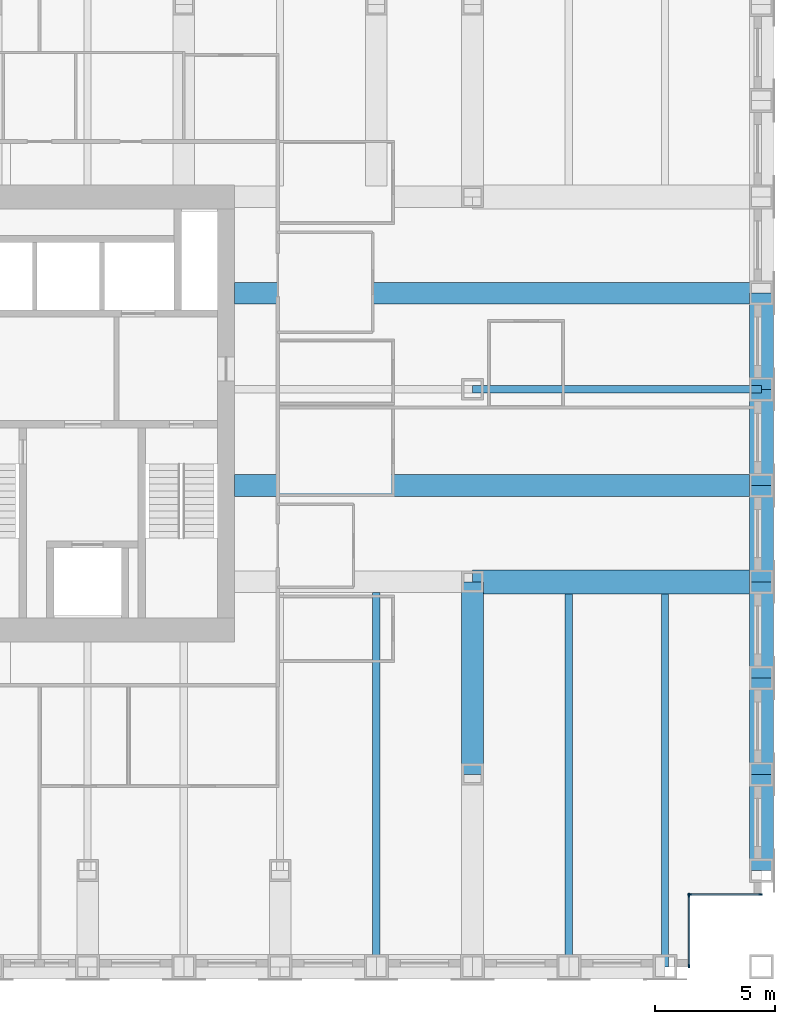
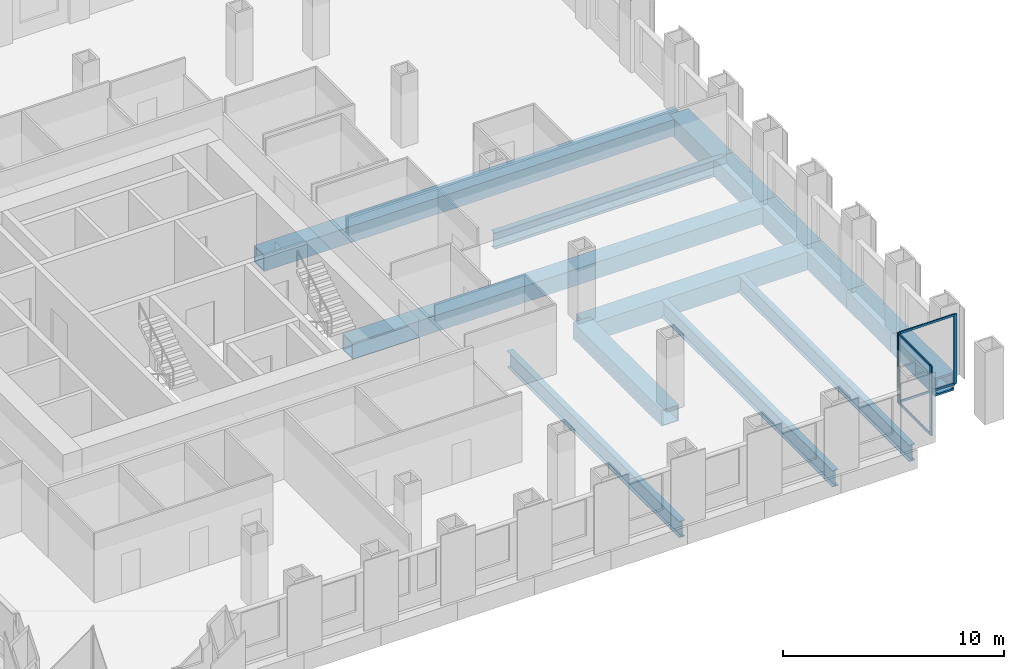
# One storey, part 4 of 16: 14 beams, 8 members, 2 elements without a shape of their own.
"""IFC4 building model written with IfcOpenShell, lengths in metres."""

from ifc_helpers import new_model, si_unit, direction, frame, origin, origin_2d, place, context, subcontext, project, spatial, rectangle, hollow_rectangle, i_section, extrude, material, material_profile, profile_set, type_object, element, aggregate, save


model = new_model("IFC4")

# Units and contexts
model_context = context("Model", 3, precision=1e-05, world=origin(), true_north=direction((0.0, 1.0)))
body_context = subcontext(model_context, "Body", "Model", "MODEL_VIEW")
ifc_project = project(units=[si_unit("LENGTHUNIT", "METRE"), si_unit("AREAUNIT", "SQUARE_METRE"), si_unit("VOLUMEUNIT", "CUBIC_METRE"), si_unit("PLANEANGLEUNIT", "RADIAN"), si_unit("MASSUNIT", "GRAM", prefix="KILO")], contexts=[model_context])

# Site, building, storey
site_placement = place(None, origin())
site = spatial("IfcSite", under=ifc_project, at=site_placement, CompositionType="ELEMENT")
building_placement = place(site_placement, origin())
building = spatial("IfcBuilding", under=site, at=building_placement, Name="Rimbunsela Tower", CompositionType="ELEMENT")
storey_placement = place(building_placement, frame((0.0, 0.0, 121.39990234375)))
storey = spatial("IfcBuildingStorey", under=building, at=storey_placement, Name="L29", CompositionType="ELEMENT", Elevation=121.39990234375)

# Beams
ifc_material_1 = material(Name="Steel BJ 55 (fy 410 MPa)", Category="steel")
ifc_material_profile_1 = material_profile(ifc_material_1, hollow_rectangle(XDim=1.0, YDim=1.0, WallThickness=0.10009765625, at=origin_2d()), Name="BOX 1000x1000x100")
ifc_profile_set_1 = profile_set([ifc_material_profile_1], Name="Steel BJ 55 (fy 410 MPa)")
beam_type_1 = type_object("IfcBeamType", Name="Beam BOX 1000x1000x100", PredefinedType="BEAM", material=ifc_profile_set_1)
beam_1_placement = place(storey_placement, frame((46.0, 20.0, -0.64990234375), z_axis=(1.0, 0.0, 0.0), x_axis=(0.0, 1.0, 0.0)))
element("IfcBeam", 1, at=beam_1_placement, inside=storey, type_object=beam_type_1, Name="Beam B3 L29", PredefinedType="BEAM", context=body_context, shape_type="SweptSolid", body=[
    extrude(hollow_rectangle(XDim=1.0, YDim=1.0, WallThickness=0.10009765625, at=origin_2d()), origin(), (0.0, 0.0, 1.0), 12.0),
])
for number, where, z_axis, x_axis, name in (
    (2, (58.0, 8.0, -0.64990234375), (0.0, 1.0, 0.0), (-1.0, 0.0, 0.0), "Beam B3 L29"),
    (3, (58.0, 12.0, -0.64990234375), (0.0, 1.0, 0.0), (-1.0, 0.0, 0.0), "Beam B3 L29"),
    (4, (58.0, 16.0, -0.64990234375), (0.0, 1.0, 0.0), (-1.0, 0.0, 0.0), "Beam B3 L29"),
    (5, (58.0, 20.0, -0.64990234375), (0.0, 1.0, 0.0), (-1.0, 0.0, 0.0), "Beam B3 L29"),
    (6, (58.0, 24.0, -0.64990234375), (0.0, 1.0, 0.0), (-1.0, 0.0, 0.0), "Beam B3 L29"),
    (7, (58.0, 28.0, -0.64990234375), (0.0, 1.0, 0.0), (-1.0, 0.0, 0.0), "Beam B3 L29"),
):
    element("IfcBeam", number, at=place(storey_placement, frame(where, z_axis=z_axis, x_axis=x_axis)), inside=storey, type_object=beam_type_1, Name=name, PredefinedType="BEAM", context=body_context, shape_type="SweptSolid", body=[
        extrude(hollow_rectangle(XDim=1.0, YDim=1.0, WallThickness=0.10009765625, at=origin_2d()), origin(), (0.0, 0.0, 1.0), 4.0),
    ])
ifc_material_2 = material(Name="Steel BJ 55 (fy 410 MPa)", Category="steel")
ifc_material_profile_2 = material_profile(ifc_material_2, hollow_rectangle(XDim=0.89990234375, YDim=0.89990234375, WallThickness=0.06005859375, at=origin_2d()), Name="BOX 900x900x60")
ifc_profile_set_2 = profile_set([ifc_material_profile_2], Name="Steel BJ 55 (fy 410 MPa)")
beam_type_2 = type_object("IfcBeamType", Name="Beam BOX 900x900x60", PredefinedType="BEAM", material=ifc_profile_set_2)
for number, where, z_axis, x_axis, name in (
    (8, (36.10009765625, 24.0, -0.599853515625), (1.0, 0.0, 0.0), (0.0, 1.0, 0.0), "Beam B1 L29"),
    (9, (36.10009765625, 32.0, -0.599853515625), (1.0, 0.0, 0.0), (0.0, 1.0, 0.0), "Beam B1 L29"),
):
    element("IfcBeam", number, at=place(storey_placement, frame(where, z_axis=z_axis, x_axis=x_axis)), inside=storey, type_object=beam_type_2, Name=name, PredefinedType="BEAM", context=body_context, shape_type="SweptSolid", body=[
        extrude(hollow_rectangle(XDim=0.89990234375, YDim=0.89990234375, WallThickness=0.06005859375, at=origin_2d()), origin(), (0.0, 0.0, 1.0), 21.89990234375),
    ])
beam_2_placement = place(storey_placement, frame((46.0, 12.0, -0.599853515625), z_axis=(0.0, 1.0, 0.0), x_axis=(-1.0, 0.0, 0.0)))
element("IfcBeam", 10, at=beam_2_placement, inside=storey, type_object=beam_type_2, Name="Beam B1 L29", PredefinedType="BEAM", context=body_context, shape_type="SweptSolid", body=[
    extrude(hollow_rectangle(XDim=0.89990234375, YDim=0.89990234375, WallThickness=0.06005859375, at=origin_2d()), origin(), (0.0, 0.0, 1.0), 8.0),
])
ifc_material_3 = material(Name="Steel BJ 55 (fy 410 MPa)", Category="steel")
ifc_material_profile_3 = material_profile(ifc_material_3, i_section(OverallWidth=0.300048828125, OverallDepth=0.89990234375, WebThickness=0.01611328125, FlangeThickness=0.028076171875, FilletRadius=0.028076171875, at=origin_2d()), Name="H 900x300x16x28")
ifc_profile_set_3 = profile_set([ifc_material_profile_3], Name="Steel BJ 55 (fy 410 MPa)")
beam_type_3 = type_object("IfcBeamType", Name="Beam H 900x300x16x28", PredefinedType="BEAM", material=ifc_profile_set_3)
beam_3_placement = place(storey_placement, frame((42.0, 4.0, -0.599853515625), z_axis=(0.0, 1.0, 0.0), x_axis=(-1.0, 0.0, 0.0)))
element("IfcBeam", 11, at=beam_3_placement, inside=storey, type_object=beam_type_3, Name="Beam B2 L29", PredefinedType="BEAM", context=body_context, shape_type="SweptSolid", body=[
    extrude(i_section(OverallWidth=0.300048828125, OverallDepth=0.89990234375, WebThickness=0.01611328125, FlangeThickness=0.028076171875, FilletRadius=0.028076171875, at=origin_2d()), origin(), (0.0, 0.0, 1.0), 15.550048828125),
])
beam_4_placement = place(storey_placement, frame((46.0, 28.0, -0.599853515625), z_axis=(1.0, 0.0, 0.0), x_axis=(0.0, 1.0, 0.0)))
element("IfcBeam", 12, at=beam_4_placement, inside=storey, type_object=beam_type_3, Name="Beam B2 L29", PredefinedType="BEAM", context=body_context, shape_type="SweptSolid", body=[
    extrude(i_section(OverallWidth=0.300048828125, OverallDepth=0.89990234375, WebThickness=0.01611328125, FlangeThickness=0.028076171875, FilletRadius=0.028076171875, at=origin_2d()), origin(), (0.0, 0.0, 1.0), 12.0),
])
for number, where, z_axis, x_axis, name in (
    (13, (50.0, 4.0, -0.599853515625), (0.0, 1.0, 0.0), (-1.0, 0.0, 0.0), "Beam B2 L29"),
    (14, (54.0, 4.0, -0.599853515625), (0.0, 1.0, 0.0), (-1.0, 0.0, 0.0), "Beam B2 L29"),
):
    element("IfcBeam", number, at=place(storey_placement, frame(where, z_axis=z_axis, x_axis=x_axis)), inside=storey, type_object=beam_type_3, Name=name, PredefinedType="BEAM", context=body_context, shape_type="SweptSolid", body=[
        extrude(i_section(OverallWidth=0.300048828125, OverallDepth=0.89990234375, WebThickness=0.01611328125, FlangeThickness=0.028076171875, FilletRadius=0.028076171875, at=origin_2d()), origin(), (0.0, 0.0, 1.0), 15.5),
    ])

# Curtain wall, members
ifc_material_4 = material(Name="Aluminium curtain wall", Category="aluminium")
curtain_wall_type = type_object("IfcCurtainWallType", Name="Corner glazing", PredefinedType="USERDEFINED", material=ifc_material_4)
curtain_wall_1_placement = place(storey_placement, origin())
curtain_wall_1 = element("IfcCurtainWall", 15, at=curtain_wall_1_placement, inside=storey, type_object=curtain_wall_type, Name="Corner glazing L29", ObjectType="CORNER GLAZING", PredefinedType="USERDEFINED")
ifc_material_5 = material(Name="Aluminium mullion", Category="aluminium")
ifc_material_profile_4 = material_profile(ifc_material_5, rectangle(XDim=0.06005859375, YDim=0.159912109375, at=origin_2d()), Name="Mullion 60x160")
ifc_profile_set_4 = profile_set([ifc_material_profile_4], Name="Aluminium mullion")
member_type_1 = type_object("IfcMemberType", Name="Curtain wall mullion 60x160", PredefinedType="MULLION", material=ifc_profile_set_4)
member_1_placement = place(storey_placement, frame((55.0, 4.030029296875, 0.0), z_axis=(0.0, 0.0, 1.0), x_axis=(-1.0, 0.0, 0.0)))
member_1 = element("IfcMember", 16, at=member_1_placement, type_object=member_type_1, Name="CW5 mullion 1", PredefinedType="MULLION", context=body_context, shape_type="SweptSolid", body=[
    extrude(rectangle(XDim=0.06005859375, YDim=0.159912109375, at=origin_2d()), origin(), (0.0, 0.0, 1.0), 3.85009765625),
])
member_2_placement = place(storey_placement, frame((55.0, 6.969970703125, 0.0), z_axis=(0.0, 0.0, 1.0), x_axis=(-1.0, 0.0, 0.0)))
member_2 = element("IfcMember", 17, at=member_2_placement, type_object=member_type_1, Name="CW5 mullion 2", PredefinedType="MULLION", context=body_context, shape_type="SweptSolid", body=[
    extrude(rectangle(XDim=0.06005859375, YDim=0.159912109375, at=origin_2d()), origin(), (0.0, 0.0, 1.0), 3.85009765625),
])

curtain_wall_2_placement = place(storey_placement, origin())
curtain_wall_2 = element("IfcCurtainWall", 18, at=curtain_wall_2_placement, inside=storey, type_object=curtain_wall_type, Name="Corner glazing L29", ObjectType="CORNER GLAZING", PredefinedType="USERDEFINED")
member_3_placement = place(storey_placement, frame((55.030029296875, 7.0, 0.0), z_axis=(0.0, 0.0, 1.0), x_axis=(0.0, 1.0, 0.0)))
member_3 = element("IfcMember", 19, at=member_3_placement, type_object=member_type_1, Name="CW5 mullion 1", PredefinedType="MULLION", context=body_context, shape_type="SweptSolid", body=[
    extrude(rectangle(XDim=0.06005859375, YDim=0.159912109375, at=origin_2d()), origin(), (0.0, 0.0, 1.0), 3.85009765625),
])
member_4_placement = place(storey_placement, frame((57.969970703125, 7.0, 0.0), z_axis=(0.0, 0.0, 1.0), x_axis=(0.0, 1.0, 0.0)))
member_4 = element("IfcMember", 20, at=member_4_placement, type_object=member_type_1, Name="CW5 mullion 2", PredefinedType="MULLION", context=body_context, shape_type="SweptSolid", body=[
    extrude(rectangle(XDim=0.06005859375, YDim=0.159912109375, at=origin_2d()), origin(), (0.0, 0.0, 1.0), 3.85009765625),
])

# Member
ifc_material_6 = material(Name="Aluminium transom", Category="aluminium")
ifc_material_profile_5 = material_profile(ifc_material_6, rectangle(XDim=0.06005859375, YDim=0.1201171875, at=origin_2d()), Name="Transom 60x120")
ifc_profile_set_5 = profile_set([ifc_material_profile_5], Name="Aluminium transom")
member_type_2 = type_object("IfcMemberType", Name="Curtain wall transom 60x120", PredefinedType="USERDEFINED", material=ifc_profile_set_5)
member_5_placement = place(storey_placement, frame((55.0, 4.06005859375, 0.030029296875), z_axis=(0.0, 1.0, 0.0), x_axis=(-1.0, 0.0, 0.0)))
member_5 = element("IfcMember", 21, at=member_5_placement, type_object=member_type_2, Name="CW5 transom 1.1", ObjectType="TRANSOM", PredefinedType="USERDEFINED", context=body_context, shape_type="SweptSolid", body=[
    extrude(rectangle(XDim=0.06005859375, YDim=0.1201171875, at=origin_2d()), origin(), (0.0, 0.0, 1.0), 2.8798828125),
])

member_6_placement = place(storey_placement, frame((55.0, 4.06005859375, 3.820068359375), z_axis=(0.0, 1.0, 0.0), x_axis=(-1.0, 0.0, 0.0)))
member_6 = element("IfcMember", 22, at=member_6_placement, type_object=member_type_2, Name="CW5 transom 1.2", ObjectType="TRANSOM", PredefinedType="USERDEFINED", context=body_context, shape_type="SweptSolid", body=[
    extrude(rectangle(XDim=0.06005859375, YDim=0.1201171875, at=origin_2d()), origin(), (0.0, 0.0, 1.0), 2.8798828125),
])

aggregate(curtain_wall_1, [member_1, member_2, member_5, member_6])

member_7_placement = place(storey_placement, frame((55.06005859375, 7.0, 0.030029296875), z_axis=(1.0, 0.0, 0.0), x_axis=(0.0, 1.0, 0.0)))
member_7 = element("IfcMember", 23, at=member_7_placement, type_object=member_type_2, Name="CW5 transom 1.1", ObjectType="TRANSOM", PredefinedType="USERDEFINED", context=body_context, shape_type="SweptSolid", body=[
    extrude(rectangle(XDim=0.06005859375, YDim=0.1201171875, at=origin_2d()), origin(), (0.0, 0.0, 1.0), 2.8798828125),
])

member_8_placement = place(storey_placement, frame((55.06005859375, 7.0, 3.820068359375), z_axis=(1.0, 0.0, 0.0), x_axis=(0.0, 1.0, 0.0)))
member_8 = element("IfcMember", 24, at=member_8_placement, type_object=member_type_2, Name="CW5 transom 1.2", ObjectType="TRANSOM", PredefinedType="USERDEFINED", context=body_context, shape_type="SweptSolid", body=[
    extrude(rectangle(XDim=0.06005859375, YDim=0.1201171875, at=origin_2d()), origin(), (0.0, 0.0, 1.0), 2.8798828125),
])

aggregate(curtain_wall_2, [member_3, member_4, member_7, member_8])

save(model, "model.ifc")
